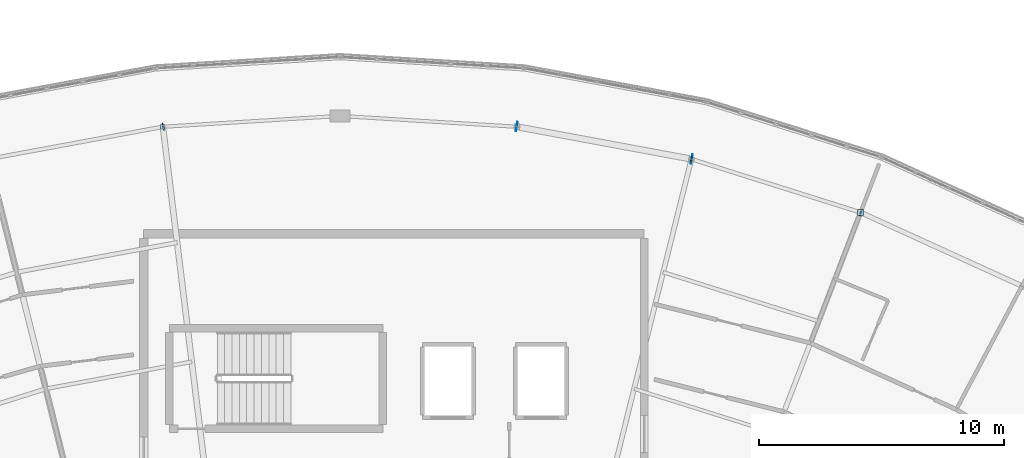
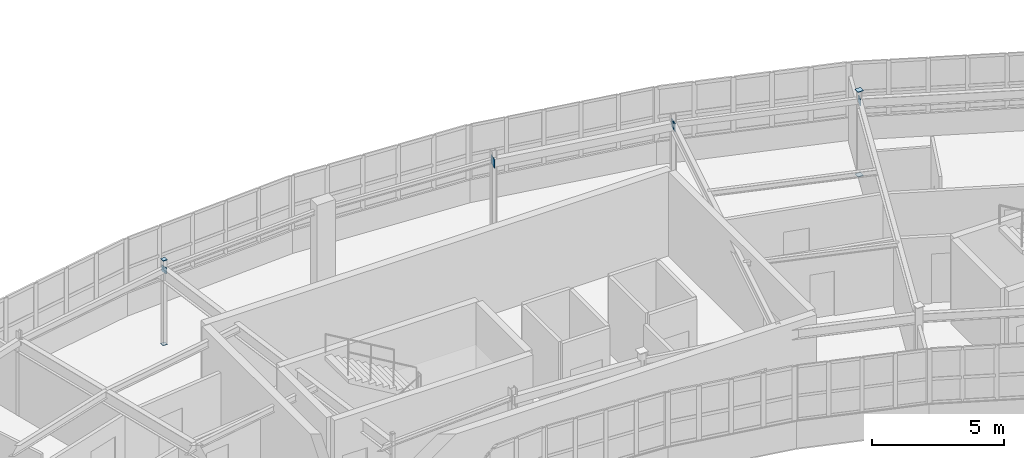
# One storey, part 62 of 79: 9 plates.
"""IFC4 building model written with IfcOpenShell, lengths in metres."""

from ifc_helpers import new_model, si_unit, direction, frame, origin, origin_2d, place, context, subcontext, project, spatial, rectangle, extrude, material, layer, layer_set, type_object, element, save


model = new_model("IFC4")

# Units and contexts
model_context = context("Model", 3, precision=1e-05, world=origin(), true_north=direction((0.0, 1.0)))
body_context = subcontext(model_context, "Body", "Model", "MODEL_VIEW")
ifc_project = project(units=[si_unit("LENGTHUNIT", "METRE"), si_unit("AREAUNIT", "SQUARE_METRE"), si_unit("VOLUMEUNIT", "CUBIC_METRE"), si_unit("PLANEANGLEUNIT", "RADIAN"), si_unit("MASSUNIT", "GRAM", prefix="KILO")], contexts=[model_context])

# Site, building, storey
site_placement = place(None, origin())
site = spatial("IfcSite", under=ifc_project, at=site_placement, CompositionType="ELEMENT")
building_placement = place(site_placement, origin())
building = spatial("IfcBuilding", under=site, at=building_placement, Name="Tarnwether General Hospital", CompositionType="ELEMENT")
storey_placement = place(building_placement, frame((0.0, 0.0, 18.300048828125)))
storey = spatial("IfcBuildingStorey", under=building, at=storey_placement, Name="L04", CompositionType="ELEMENT", Elevation=18.300048828125)

# Plates
ifc_material = material(Name="Steel Grade 350 (350 MPa)", Category="steel")
ifc_layer = layer(ifc_material, 0.02490234375)
ifc_layer_set = layer_set([ifc_layer], Name="Steel Grade 350 (350 MPa)")
plate_type = type_object("IfcPlateType", Name="PT-GUS2", PredefinedType="USERDEFINED", material=ifc_layer_set)
for number, where, z_axis, x_axis, name in (
    (1, (84.784912109375, 121.759033203125, -0.02490234375), (0.0, 0.0, 1.0), (1.0, 0.0, 0.0), "Hollow Section Welded End Cap Plate 0511"),
    (2, (84.784912109375, 121.759033203125, 3.89990234375), (0.0, 0.0, 1.0), (1.0, 0.0, 0.0), "Hollow Section Welded End Cap Plate 0512"),
):
    element("IfcPlate", number, at=place(storey_placement, frame(where, z_axis=z_axis, x_axis=x_axis)), inside=storey, type_object=plate_type, Name=name, ObjectType="GUSSET", PredefinedType="USERDEFINED", context=body_context, shape_type="SweptSolid", body=[
        extrude(rectangle(XDim=0.18994140625, YDim=0.18994140625, at=origin_2d()), origin(), (0.0, 0.0, 1.0), 0.02490234375),
    ])
for number, where, z_axis, x_axis, name in (
    (3, (113.215087890625, 118.26806640625, -0.02490234375), (0.0, 0.0, 1.0), (1.0, 0.0, 0.0), "Hollow Section Welded End Cap Plate 0567"),
    (4, (113.215087890625, 118.26806640625, 3.89990234375), (0.0, 0.0, 1.0), (1.0, 0.0, 0.0), "Hollow Section Welded End Cap Plate 0568"),
):
    element("IfcPlate", number, at=place(storey_placement, frame(where, z_axis=z_axis, x_axis=x_axis)), inside=storey, type_object=plate_type, Name=name, ObjectType="GUSSET", PredefinedType="USERDEFINED", context=body_context, shape_type="SweptSolid", body=[
        extrude(rectangle(XDim=0.23388671875, YDim=0.23388671875, at=origin_2d()), origin(), (0.0, 0.0, 1.0), 0.02490234375),
    ])
plate_placement = place(storey_placement, frame((84.79736328125, 121.76123046875, 3.2900390625), z_axis=(0.0, 0.0, 1.0), x_axis=(0.983261268185, 0.18220120331, 0.0)))
element("IfcPlate", 5, at=plate_placement, inside=storey, type_object=plate_type, Name="Hollow Section Welded End Cap Plate 1030", ObjectType="GUSSET", PredefinedType="USERDEFINED", context=body_context, shape_type="SweptSolid", body=[
    extrude(rectangle(XDim=0.02490234375, YDim=0.2900390625, at=origin_2d()), origin(), (0.0, 0.0, 1.0), 0.2900390625),
])
for number, where, z_axis, x_axis, name in (
    (6, (99.20263671875, 121.76123046875, 3.18994140625), (0.0, 0.0, 1.0), (0.983261268185, -0.18220120331, 0.0), "Hollow Section Welded End Cap Plate 1033"),
    (7, (106.334228515625, 120.439697265625, 3.18994140625), (0.0, 0.0, 1.0), (0.983261268185, -0.18220120331, 0.0), "Hollow Section Welded End Cap Plate 1034"),
):
    element("IfcPlate", number, at=place(storey_placement, frame(where, z_axis=z_axis, x_axis=x_axis)), inside=storey, type_object=plate_type, Name=name, ObjectType="GUSSET", PredefinedType="USERDEFINED", context=body_context, shape_type="SweptSolid", body=[
        extrude(rectangle(XDim=0.02490234375, YDim=0.389892578125, at=origin_2d()), origin(), (0.0, 0.0, 1.0), 0.389892578125),
    ])
for number, where, z_axis, x_axis, name in (
    (8, (106.31005859375, 120.44580078125, 3.2900390625), (0.0, 0.0, 1.0), (0.953690705585, -0.300789025864, 0.0), "Hollow Section Welded End Cap Plate 1037"),
    (9, (113.226806640625, 118.26416015625, 3.2900390625), (0.0, 0.0, 1.0), (0.953690705585, -0.300789025864, 0.0), "Hollow Section Welded End Cap Plate 1038"),
):
    element("IfcPlate", number, at=place(storey_placement, frame(where, z_axis=z_axis, x_axis=x_axis)), inside=storey, type_object=plate_type, Name=name, ObjectType="GUSSET", PredefinedType="USERDEFINED", context=body_context, shape_type="SweptSolid", body=[
        extrude(rectangle(XDim=0.02490234375, YDim=0.2900390625, at=origin_2d()), origin(), (0.0, 0.0, 1.0), 0.2900390625),
    ])

save(model, "model.ifc")
